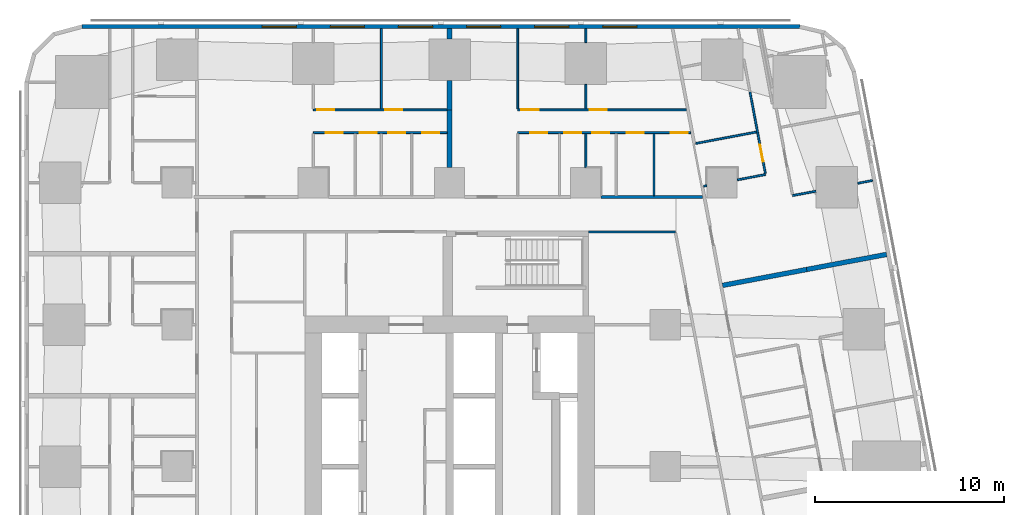
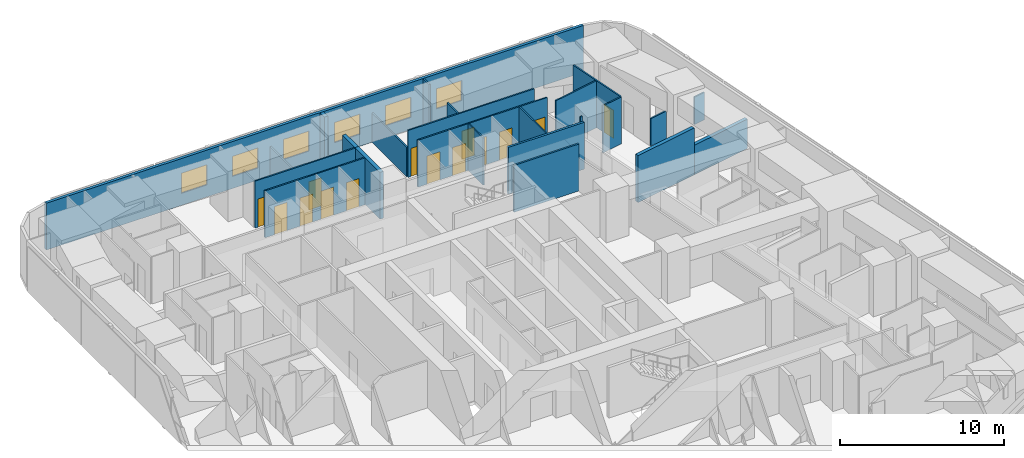
# One storey, part 9 of 15: 24 walls, 14 doors, 6 windows, 20 openings.
"""IFC4 building model written with IfcOpenShell, lengths in metres."""

from ifc_helpers import new_model, si_unit, direction, frame, frame_2d, origin, place, context, subcontext, project, spatial, rectangle, extrude, material, layer, layer_set, type_object, element, fill, save


model = new_model("IFC4")

# Units and contexts
model_context = context("Model", 3, precision=1e-05, world=origin(), true_north=direction((0.0, 1.0)))
body_context = subcontext(model_context, "Body", "Model", "MODEL_VIEW")
ifc_project = project(units=[si_unit("LENGTHUNIT", "METRE"), si_unit("AREAUNIT", "SQUARE_METRE"), si_unit("VOLUMEUNIT", "CUBIC_METRE"), si_unit("PLANEANGLEUNIT", "RADIAN"), si_unit("MASSUNIT", "GRAM", prefix="KILO")], contexts=[model_context])

# Site, building, storey
site_placement = place(None, origin())
site = spatial("IfcSite", under=ifc_project, at=site_placement, CompositionType="ELEMENT")
building_placement = place(site_placement, origin())
building = spatial("IfcBuilding", under=site, at=building_placement, Name="Sheger Commons Tower", CompositionType="ELEMENT")
storey_placement = place(building_placement, frame((0.0, 0.0, 104.14990234375)))
storey = spatial("IfcBuildingStorey", under=building, at=storey_placement, Name="L26", CompositionType="ELEMENT", Elevation=104.14990234375)

# Walls
ifc_material_1 = material(Name="Hollow concrete block masonry, skimmed both sides", Category="masonry")
ifc_layer_1 = layer(ifc_material_1, 0.14990234375)
ifc_layer_set_1 = layer_set([ifc_layer_1], Name="CORRIDOR WALL 150")
wall_type_1 = type_object("IfcWallType", Name="CORRIDOR WALL 150", PredefinedType="SOLIDWALL", material=ifc_layer_set_1)
wall_1_placement = place(storey_placement, frame((29.60107421875, 36.75, 0.0), z_axis=(0.0, 0.0, 1.0), x_axis=(1.0, 0.0, 0.0)))
element("IfcWall", 1, at=wall_1_placement, inside=storey, type_object=wall_type_1, Name="Corridor wall L26", PredefinedType="SOLIDWALL", context=body_context, shape_type="SweptSolid", body=[
    extrude(rectangle(XDim=5.371826171875, YDim=0.14990234375, at=frame_2d((2.68603515625, 0.0))), origin(), (0.0, 0.0, 1.0), 3.5),
])
ifc_material_2 = material(Name="Dense concrete block masonry, plastered both sides (separating wall between flats)", Category="masonry")
ifc_layer_2 = layer(ifc_material_2, 0.25)
ifc_layer_set_2 = layer_set([ifc_layer_2], Name="DEMISING WALL 250")
wall_type_2 = type_object("IfcWallType", Name="DEMISING WALL 250", PredefinedType="SOLIDWALL", material=ifc_layer_set_2)
wall_2_placement = place(storey_placement, frame((44.693115234375, 33.712890625, 0.0), z_axis=(0.0, 0.0, 1.0), x_axis=(-0.982633535512, -0.185556823879, 0.0)))
element("IfcWall", 2, at=wall_2_placement, inside=storey, type_object=wall_type_2, Name="Demising wall L26", PredefinedType="SOLIDWALL", context=body_context, shape_type="SweptSolid", body=[
    extrude(rectangle(XDim=4.2998046875, YDim=0.25, at=frame_2d((2.14990234375, 0.0))), origin(), (0.0, 0.0, 1.0), 2.2001953125),
])
wall_3_placement = place(storey_placement, frame((40.468017578125, 32.9150390625, 0.0), z_axis=(0.0, 0.0, 1.0), x_axis=(-0.982612837616, -0.185666398014, 0.0)))
element("IfcWall", 3, at=wall_3_placement, inside=storey, type_object=wall_type_2, Name="Demising wall L26", PredefinedType="SOLIDWALL", context=body_context, shape_type="SweptSolid", body=[
    extrude(rectangle(XDim=4.524658203125, YDim=0.25, at=frame_2d((2.26220703125, 0.0))), origin(), (0.0, 0.0, 1.0), 3.5),
])
wall_4_placement = place(storey_placement, frame((21.60009765625, 41.35009765625, 0.0), z_axis=(0.0, 0.0, 1.0), x_axis=(0.0, 1.0, 0.0)))
element("IfcWall", 4, at=wall_4_placement, inside=storey, type_object=wall_type_2, Name="Demising wall L26", PredefinedType="SOLIDWALL", context=body_context, shape_type="SweptSolid", body=[
    extrude(rectangle(XDim=1.548828125, YDim=0.25, at=frame_2d((0.7744140625, 0.0))), origin(), (0.0, 0.0, 1.0), 3.5),
])
wall_5_placement = place(storey_placement, frame((21.60009765625, 45.10107421875, 0.0), z_axis=(0.0, 0.0, 1.0), x_axis=(0.0, 1.0, 0.0)))
element("IfcWall", 5, at=wall_5_placement, inside=storey, type_object=wall_type_2, Name="Demising wall L26", PredefinedType="SOLIDWALL", context=body_context, shape_type="SweptSolid", body=[
    extrude(rectangle(XDim=0.548828125, YDim=0.25, at=frame_2d((0.2744140625, 0.0))), origin(), (0.0, 0.0, 1.0), 3.5),
])
wall_6_placement = place(storey_placement, frame((21.60009765625, 38.301025390625, 0.0), z_axis=(0.0, 0.0, 1.0), x_axis=(0.0, 1.0, 0.0)))
element("IfcWall", 6, at=wall_6_placement, inside=storey, type_object=wall_type_2, Name="Demising wall L26", PredefinedType="SOLIDWALL", context=body_context, shape_type="SweptSolid", body=[
    extrude(rectangle(XDim=3.049072265625, YDim=0.25, at=frame_2d((1.5244140625, 0.0))), origin(), (0.0, 0.0, 1.0), 3.5),
])

# Wall, openings, windows
ifc_material_3 = material(Name="Rendered concrete block masonry, dark grey", Category="masonry")
ifc_layer_3 = layer(ifc_material_3, 0.199951171875)
ifc_layer_set_3 = layer_set([ifc_layer_3], Name="FACADE WALL 200")
wall_type_3 = type_object("IfcWallType", Name="FACADE WALL 200", PredefinedType="SOLIDWALL", material=ifc_layer_set_3)
wall_7_placement = place(storey_placement, frame((40.10595703125, 45.75, 0.0), z_axis=(0.0, 0.0, 1.0), x_axis=(-1.0, 0.0, 0.0)))
wall_7 = element("IfcWall", 7, at=wall_7_placement, inside=storey, type_object=wall_type_3, Name="Facade wall L26", PredefinedType="SOLIDWALL", context=body_context, shape_type="SweptSolid", body=[
    extrude(rectangle(XDim=37.94287109375, YDim=0.199951171875, at=frame_2d((18.971435546875, 0.0))), origin(), (0.0, 0.0, 1.0), 3.5),
])
opening_1_placement = place(wall_7_placement, frame((8.60595703125, 0.0, 0.89990234375)))
opening_1 = element("IfcOpeningElement", 8, at=opening_1_placement, cuts=wall_7, Name="Opening W2", PredefinedType="OPENING", context=body_context, shape_type="SweptSolid", body=[
    extrude(rectangle(XDim=1.800048828125, YDim=1.5, at=frame_2d((0.89990234375, 0.75))), frame((0.0, 0.10986328125, 0.0), z_axis=(0.0, -1.0, 0.0), x_axis=(1.0, 0.0, 0.0)), (0.0, 0.0, 1.0), 0.219970703125),
])
opening_2_placement = place(wall_7_placement, frame((12.2060546875, 0.0, 0.89990234375)))
opening_2 = element("IfcOpeningElement", 9, at=opening_2_placement, cuts=wall_7, Name="Opening W2", PredefinedType="OPENING", context=body_context, shape_type="SweptSolid", body=[
    extrude(rectangle(XDim=1.800048828125, YDim=1.5, at=frame_2d((0.89990234375, 0.75))), frame((0.0, 0.10986328125, 0.0), z_axis=(0.0, -1.0, 0.0), x_axis=(1.0, 0.0, 0.0)), (0.0, 0.0, 1.0), 0.219970703125),
])
opening_3_placement = place(wall_7_placement, frame((15.805908203125, 0.0, 0.89990234375)))
opening_3 = element("IfcOpeningElement", 10, at=opening_3_placement, cuts=wall_7, Name="Opening W2", PredefinedType="OPENING", context=body_context, shape_type="SweptSolid", body=[
    extrude(rectangle(XDim=1.800048828125, YDim=1.5, at=frame_2d((0.89990234375, 0.75))), frame((0.0, 0.10986328125, 0.0), z_axis=(0.0, -1.0, 0.0), x_axis=(1.0, 0.0, 0.0)), (0.0, 0.0, 1.0), 0.219970703125),
])
opening_4_placement = place(wall_7_placement, frame((19.406005859375, 0.0, 0.89990234375)))
opening_4 = element("IfcOpeningElement", 11, at=opening_4_placement, cuts=wall_7, Name="Opening W2", PredefinedType="OPENING", context=body_context, shape_type="SweptSolid", body=[
    extrude(rectangle(XDim=1.800048828125, YDim=1.5, at=frame_2d((0.89990234375, 0.75))), frame((0.0, 0.10986328125, 0.0), z_axis=(0.0, -1.0, 0.0), x_axis=(1.0, 0.0, 0.0)), (0.0, 0.0, 1.0), 0.219970703125),
])
opening_5_placement = place(wall_7_placement, frame((23.006103515625, 0.0, 0.89990234375)))
opening_5 = element("IfcOpeningElement", 12, at=opening_5_placement, cuts=wall_7, Name="Opening W2", PredefinedType="OPENING", context=body_context, shape_type="SweptSolid", body=[
    extrude(rectangle(XDim=1.800048828125, YDim=1.5, at=frame_2d((0.89990234375, 0.75))), frame((0.0, 0.10986328125, 0.0), z_axis=(0.0, -1.0, 0.0), x_axis=(1.0, 0.0, 0.0)), (0.0, 0.0, 1.0), 0.219970703125),
])
opening_6_placement = place(wall_7_placement, frame((26.60595703125, 0.0, 0.89990234375)))
opening_6 = element("IfcOpeningElement", 13, at=opening_6_placement, cuts=wall_7, Name="Opening W2", PredefinedType="OPENING", context=body_context, shape_type="SweptSolid", body=[
    extrude(rectangle(XDim=1.800048828125, YDim=1.5, at=frame_2d((0.89990234375, 0.75))), frame((0.0, 0.10986328125, 0.0), z_axis=(0.0, -1.0, 0.0), x_axis=(1.0, 0.0, 0.0)), (0.0, 0.0, 1.0), 0.219970703125),
])
ifc_material_4 = material(Name="Black aluminium frame, dark tinted double glazing", Category="aluminium")
window_type = type_object("IfcWindowType", Name="WINDOW W2 1800x1500", PartitioningType="SINGLE_PANEL", PredefinedType="WINDOW", material=ifc_material_4)
window_1_placement = place(opening_1_placement, origin())
window_1 = element("IfcWindow", 14, at=window_1_placement, inside=storey, type_object=window_type, Name="Window W2 1800X1500", OverallHeight=1.5, OverallWidth=1.800048828125, PartitioningType="SINGLE_PANEL", PredefinedType="WINDOW", context=body_context, shape_type="SweptSolid", body=[
    extrude(rectangle(XDim=1.800048828125, YDim=1.5, at=frame_2d((0.89990234375, 0.75))), frame((0.0, 0.030029296875, 0.0), z_axis=(0.0, -1.0, 0.0), x_axis=(1.0, 0.0, 0.0)), (0.0, 0.0, 1.0), 0.06005859375),
])
fill(opening_1, window_1)
window_2_placement = place(opening_2_placement, origin())
window_2 = element("IfcWindow", 15, at=window_2_placement, inside=storey, type_object=window_type, Name="Window W2 1800X1500", OverallHeight=1.5, OverallWidth=1.800048828125, PartitioningType="SINGLE_PANEL", PredefinedType="WINDOW", context=body_context, shape_type="SweptSolid", body=[
    extrude(rectangle(XDim=1.800048828125, YDim=1.5, at=frame_2d((0.89990234375, 0.75))), frame((0.0, 0.030029296875, 0.0), z_axis=(0.0, -1.0, 0.0), x_axis=(1.0, 0.0, 0.0)), (0.0, 0.0, 1.0), 0.06005859375),
])
fill(opening_2, window_2)
window_3_placement = place(opening_3_placement, origin())
window_3 = element("IfcWindow", 16, at=window_3_placement, inside=storey, type_object=window_type, Name="Window W2 1800X1500", OverallHeight=1.5, OverallWidth=1.800048828125, PartitioningType="SINGLE_PANEL", PredefinedType="WINDOW", context=body_context, shape_type="SweptSolid", body=[
    extrude(rectangle(XDim=1.800048828125, YDim=1.5, at=frame_2d((0.89990234375, 0.75))), frame((0.0, 0.030029296875, 0.0), z_axis=(0.0, -1.0, 0.0), x_axis=(1.0, 0.0, 0.0)), (0.0, 0.0, 1.0), 0.06005859375),
])
fill(opening_3, window_3)
window_4_placement = place(opening_4_placement, origin())
window_4 = element("IfcWindow", 17, at=window_4_placement, inside=storey, type_object=window_type, Name="Window W2 1800X1500", OverallHeight=1.5, OverallWidth=1.800048828125, PartitioningType="SINGLE_PANEL", PredefinedType="WINDOW", context=body_context, shape_type="SweptSolid", body=[
    extrude(rectangle(XDim=1.800048828125, YDim=1.5, at=frame_2d((0.89990234375, 0.75))), frame((0.0, 0.030029296875, 0.0), z_axis=(0.0, -1.0, 0.0), x_axis=(1.0, 0.0, 0.0)), (0.0, 0.0, 1.0), 0.06005859375),
])
fill(opening_4, window_4)
window_5_placement = place(opening_5_placement, origin())
window_5 = element("IfcWindow", 18, at=window_5_placement, inside=storey, type_object=window_type, Name="Window W2 1800X1500", OverallHeight=1.5, OverallWidth=1.800048828125, PartitioningType="SINGLE_PANEL", PredefinedType="WINDOW", context=body_context, shape_type="SweptSolid", body=[
    extrude(rectangle(XDim=1.800048828125, YDim=1.5, at=frame_2d((0.89990234375, 0.75))), frame((0.0, 0.030029296875, 0.0), z_axis=(0.0, -1.0, 0.0), x_axis=(1.0, 0.0, 0.0)), (0.0, 0.0, 1.0), 0.06005859375),
])
fill(opening_5, window_5)
window_6_placement = place(opening_6_placement, origin())
window_6 = element("IfcWindow", 19, at=window_6_placement, inside=storey, type_object=window_type, Name="Window W2 1800X1500", OverallHeight=1.5, OverallWidth=1.800048828125, PartitioningType="SINGLE_PANEL", PredefinedType="WINDOW", context=body_context, shape_type="SweptSolid", body=[
    extrude(rectangle(XDim=1.800048828125, YDim=1.5, at=frame_2d((0.89990234375, 0.75))), frame((0.0, 0.030029296875, 0.0), z_axis=(0.0, -1.0, 0.0), x_axis=(1.0, 0.0, 0.0)), (0.0, 0.0, 1.0), 0.06005859375),
])
fill(opening_6, window_6)

# Wall, opening, door
ifc_material_5 = material(Name="Gypsum board on steel studs", Category="steel")
ifc_layer_4 = layer(ifc_material_5, 0.10009765625)
ifc_layer_set_4 = layer_set([ifc_layer_4], Name="PARTITION 100")
wall_type_4 = type_object("IfcWallType", Name="PARTITION 100", PredefinedType="PARTITIONING", material=ifc_layer_set_4)
wall_8_placement = place(storey_placement, frame((37.471923828125, 42.30908203125, 0.0), z_axis=(0.0, 0.0, 1.0), x_axis=(0.185641287362, -0.982617581985, 0.0)))
wall_8 = element("IfcWall", 20, at=wall_8_placement, inside=storey, type_object=wall_type_4, Name="Partition L26", PredefinedType="PARTITIONING", context=body_context, shape_type="SweptSolid", body=[
    extrude(rectangle(XDim=4.401611328125, YDim=0.10009765625, at=frame_2d((2.20068359375, 0.0))), origin(), (0.0, 0.0, 1.0), 3.5),
])
opening_7_placement = place(wall_8_placement, frame((2.85400390625, 0.0, 0.0)))
opening_7 = element("IfcOpeningElement", 21, at=opening_7_placement, cuts=wall_8, Name="Opening D2", PredefinedType="OPENING", context=body_context, shape_type="SweptSolid", body=[
    extrude(rectangle(XDim=0.89990234375, YDim=2.10009765625, at=frame_2d((0.449951171875, 1.050048828125))), frame((0.0, 0.06005859375, 0.0), z_axis=(0.0, -1.0, 0.0), x_axis=(1.0, 0.0, 0.0)), (0.0, 0.0, 1.0), 0.1201171875),
])
ifc_material_6 = material(Name="Timber door set", Category="wood")
door_type = type_object("IfcDoorType", Name="INTERNAL DOOR 900x2100", OperationType="NOTDEFINED", PredefinedType="DOOR", material=ifc_material_6)
door_1_placement = place(opening_7_placement, origin())
door_1 = element("IfcDoor", 22, at=door_1_placement, inside=storey, type_object=door_type, Name="Bathroom door", OperationType="SINGLE_SWING_LEFT", OverallHeight=2.10009765625, OverallWidth=0.89990234375, PredefinedType="DOOR", context=body_context, shape_type="SweptSolid", body=[
    extrude(rectangle(XDim=0.89990234375, YDim=2.10009765625, at=frame_2d((0.449951171875, 1.050048828125))), frame((0.0, 0.02490234375, 0.0), z_axis=(0.0, -1.0, 0.0), x_axis=(1.0, 0.0, 0.0)), (0.0, 0.0, 1.0), 0.050048828125),
])
fill(opening_7, door_1)

# Walls
wall_9_placement = place(storey_placement, frame((43.955078125, 37.6201171875, 0.0), z_axis=(0.0, 0.0, 1.0), x_axis=(-0.98247004097, -0.186420542316, 0.0)))
element("IfcWall", 23, at=wall_9_placement, inside=storey, type_object=wall_type_4, Name="Partition L26", PredefinedType="PARTITIONING", context=body_context, shape_type="SweptSolid", body=[
    extrude(rectangle(XDim=0.794921875, YDim=0.10009765625, at=frame_2d((0.3974609375, 0.0))), origin(), (0.0, 0.0, 1.0), 2.050048828125),
])
wall_10_placement = place(storey_placement, frame((40.9541015625, 37.052978515625, 0.0), z_axis=(0.0, 0.0, 1.0), x_axis=(-0.982663001154, -0.185400717808, 0.0)))
element("IfcWall", 24, at=wall_10_placement, inside=storey, type_object=wall_type_4, Name="Partition L26", PredefinedType="PARTITIONING", context=body_context, shape_type="SweptSolid", body=[
    extrude(rectangle(XDim=1.24560546875, YDim=0.10009765625, at=frame_2d((0.622802734375, 0.0))), origin(), (0.0, 0.0, 1.0), 2.050048828125),
])
wall_11_placement = place(storey_placement, frame((37.822998046875, 40.181884765625, 0.0), z_axis=(0.0, 0.0, 1.0), x_axis=(-0.982664729897, -0.18539155487, 0.0)))
element("IfcWall", 25, at=wall_11_placement, inside=storey, type_object=wall_type_4, Name="Partition L26", PredefinedType="PARTITIONING", context=body_context, shape_type="SweptSolid", body=[
    extrude(rectangle(XDim=3.273681640625, YDim=0.10009765625, at=frame_2d((1.63671875, 0.0))), origin(), (0.0, 0.0, 1.0), 3.5),
])
wall_12_placement = place(storey_placement, frame((38.299072265625, 37.93505859375, 0.0), z_axis=(0.0, 0.0, 1.0), x_axis=(-0.982536828695, -0.186068213993, 0.0)))
element("IfcWall", 26, at=wall_12_placement, inside=storey, type_object=wall_type_4, Name="Partition L26", PredefinedType="PARTITIONING", context=body_context, shape_type="SweptSolid", body=[
    extrude(rectangle(XDim=1.515380859375, YDim=0.10009765625, at=frame_2d((0.7578125, 0.0))), origin(), (0.0, 0.0, 1.0), 3.5),
])
wall_13_placement = place(storey_placement, frame((35.18994140625, 37.346923828125, 0.0), z_axis=(0.0, 0.0, 1.0), x_axis=(-0.982404955251, -0.186763229514, 0.0)))
element("IfcWall", 27, at=wall_13_placement, inside=storey, type_object=wall_type_4, Name="Partition L26", PredefinedType="PARTITIONING", context=body_context, shape_type="SweptSolid", body=[
    extrude(rectangle(XDim=0.160888671875, YDim=0.10009765625, at=frame_2d((0.08056640625, 0.0))), origin(), (0.0, 0.0, 1.0), 3.5),
])

# Wall, openings, doors
wall_14_placement = place(storey_placement, frame((14.39990234375, 41.35009765625, 0.0), z_axis=(0.0, 0.0, 1.0), x_axis=(1.0, 0.0, 0.0)))
wall_14 = element("IfcWall", 28, at=wall_14_placement, inside=storey, type_object=wall_type_4, Name="Partition L26", PredefinedType="PARTITIONING", context=body_context, shape_type="SweptSolid", body=[
    extrude(rectangle(XDim=7.0751953125, YDim=0.10009765625, at=frame_2d((3.53759765625, 0.0))), origin(), (0.0, 0.0, 1.0), 3.5),
])
opening_8_placement = place(wall_14_placement, frame((0.199951171875, 0.0, 0.0)))
opening_8 = element("IfcOpeningElement", 29, at=opening_8_placement, cuts=wall_14, Name="Opening D2", PredefinedType="OPENING", context=body_context, shape_type="SweptSolid", body=[
    extrude(rectangle(XDim=0.89990234375, YDim=2.10009765625, at=frame_2d((0.449951171875, 1.050048828125))), frame((0.0, 0.06005859375, 0.0), z_axis=(0.0, -1.0, 0.0), x_axis=(1.0, 0.0, 0.0)), (0.0, 0.0, 1.0), 0.1201171875),
])
opening_9_placement = place(wall_14_placement, frame((3.800048828125, 0.0, 0.0)))
opening_9 = element("IfcOpeningElement", 30, at=opening_9_placement, cuts=wall_14, Name="Opening D2", PredefinedType="OPENING", context=body_context, shape_type="SweptSolid", body=[
    extrude(rectangle(XDim=0.89990234375, YDim=2.10009765625, at=frame_2d((0.449951171875, 1.050048828125))), frame((0.0, 0.06005859375, 0.0), z_axis=(0.0, -1.0, 0.0), x_axis=(1.0, 0.0, 0.0)), (0.0, 0.0, 1.0), 0.1201171875),
])
door_2_placement = place(opening_8_placement, origin())
door_2 = element("IfcDoor", 31, at=door_2_placement, inside=storey, type_object=door_type, Name="Main bedroom door", OperationType="SINGLE_SWING_LEFT", OverallHeight=2.10009765625, OverallWidth=0.89990234375, PredefinedType="DOOR", context=body_context, shape_type="SweptSolid", body=[
    extrude(rectangle(XDim=0.89990234375, YDim=2.10009765625, at=frame_2d((0.449951171875, 1.050048828125))), frame((0.0, 0.02490234375, 0.0), z_axis=(0.0, -1.0, 0.0), x_axis=(1.0, 0.0, 0.0)), (0.0, 0.0, 1.0), 0.050048828125),
])
fill(opening_8, door_2)
door_3_placement = place(opening_9_placement, origin())
door_3 = element("IfcDoor", 32, at=door_3_placement, inside=storey, type_object=door_type, Name="Bedroom 2 door", OperationType="SINGLE_SWING_LEFT", OverallHeight=2.10009765625, OverallWidth=0.89990234375, PredefinedType="DOOR", context=body_context, shape_type="SweptSolid", body=[
    extrude(rectangle(XDim=0.89990234375, YDim=2.10009765625, at=frame_2d((0.449951171875, 1.050048828125))), frame((0.0, 0.02490234375, 0.0), z_axis=(0.0, -1.0, 0.0), x_axis=(1.0, 0.0, 0.0)), (0.0, 0.0, 1.0), 0.050048828125),
])
fill(opening_9, door_3)

wall_15_placement = place(storey_placement, frame((14.39990234375, 40.14990234375, 0.0), z_axis=(0.0, 0.0, 1.0), x_axis=(1.0, 0.0, 0.0)))
wall_15 = element("IfcWall", 33, at=wall_15_placement, inside=storey, type_object=wall_type_4, Name="Partition L26", PredefinedType="PARTITIONING", context=body_context, shape_type="SweptSolid", body=[
    extrude(rectangle(XDim=7.0751953125, YDim=0.10009765625, at=frame_2d((3.53759765625, 0.0))), origin(), (0.0, 0.0, 1.0), 3.5),
])
opening_10_placement = place(wall_15_placement, frame((0.655029296875, 0.0, 0.0)))
opening_10 = element("IfcOpeningElement", 34, at=opening_10_placement, cuts=wall_15, Name="Opening D2", PredefinedType="OPENING", context=body_context, shape_type="SweptSolid", body=[
    extrude(rectangle(XDim=0.89990234375, YDim=2.10009765625, at=frame_2d((0.449951171875, 1.050048828125))), frame((0.0, 0.06005859375, 0.0), z_axis=(0.0, -1.0, 0.0), x_axis=(1.0, 0.0, 0.0)), (0.0, 0.0, 1.0), 0.1201171875),
])
opening_11_placement = place(wall_15_placement, frame((3.949951171875, 0.0, 0.0)))
opening_11 = element("IfcOpeningElement", 35, at=opening_11_placement, cuts=wall_15, Name="Opening D2", PredefinedType="OPENING", context=body_context, shape_type="SweptSolid", body=[
    extrude(rectangle(XDim=0.89990234375, YDim=2.10009765625, at=frame_2d((0.449951171875, 1.050048828125))), frame((0.0, 0.06005859375, 0.0), z_axis=(0.0, -1.0, 0.0), x_axis=(1.0, 0.0, 0.0)), (0.0, 0.0, 1.0), 0.1201171875),
])
opening_12_placement = place(wall_15_placement, frame((2.455078125, 0.0, 0.0)))
opening_12 = element("IfcOpeningElement", 36, at=opening_12_placement, cuts=wall_15, Name="Opening D2", PredefinedType="OPENING", context=body_context, shape_type="SweptSolid", body=[
    extrude(rectangle(XDim=0.89990234375, YDim=2.10009765625, at=frame_2d((0.449951171875, 1.050048828125))), frame((0.0, 0.06005859375, 0.0), z_axis=(0.0, -1.0, 0.0), x_axis=(1.0, 0.0, 0.0)), (0.0, 0.0, 1.0), 0.1201171875),
])
opening_13_placement = place(wall_15_placement, frame((5.75, 0.0, 0.0)))
opening_13 = element("IfcOpeningElement", 37, at=opening_13_placement, cuts=wall_15, Name="Opening D2", PredefinedType="OPENING", context=body_context, shape_type="SweptSolid", body=[
    extrude(rectangle(XDim=0.89990234375, YDim=2.10009765625, at=frame_2d((0.449951171875, 1.050048828125))), frame((0.0, 0.06005859375, 0.0), z_axis=(0.0, -1.0, 0.0), x_axis=(1.0, 0.0, 0.0)), (0.0, 0.0, 1.0), 0.1201171875),
])
door_4_placement = place(opening_10_placement, origin())
door_4 = element("IfcDoor", 38, at=door_4_placement, inside=storey, type_object=door_type, Name="Bathroom door", OperationType="SINGLE_SWING_RIGHT", OverallHeight=2.10009765625, OverallWidth=0.89990234375, PredefinedType="DOOR", context=body_context, shape_type="SweptSolid", body=[
    extrude(rectangle(XDim=0.89990234375, YDim=2.10009765625, at=frame_2d((0.449951171875, 1.050048828125))), frame((0.0, 0.02490234375, 0.0), z_axis=(0.0, -1.0, 0.0), x_axis=(1.0, 0.0, 0.0)), (0.0, 0.0, 1.0), 0.050048828125),
])
fill(opening_10, door_4)
door_5_placement = place(opening_11_placement, origin())
door_5 = element("IfcDoor", 39, at=door_5_placement, inside=storey, type_object=door_type, Name="Shower room door", OperationType="SINGLE_SWING_RIGHT", OverallHeight=2.10009765625, OverallWidth=0.89990234375, PredefinedType="DOOR", context=body_context, shape_type="SweptSolid", body=[
    extrude(rectangle(XDim=0.89990234375, YDim=2.10009765625, at=frame_2d((0.449951171875, 1.050048828125))), frame((0.0, 0.02490234375, 0.0), z_axis=(0.0, -1.0, 0.0), x_axis=(1.0, 0.0, 0.0)), (0.0, 0.0, 1.0), 0.050048828125),
])
fill(opening_11, door_5)
door_6_placement = place(opening_12_placement, origin())
door_6 = element("IfcDoor", 40, at=door_6_placement, inside=storey, type_object=door_type, Name="Store door", OperationType="SINGLE_SWING_RIGHT", OverallHeight=2.10009765625, OverallWidth=0.89990234375, PredefinedType="DOOR", context=body_context, shape_type="SweptSolid", body=[
    extrude(rectangle(XDim=0.89990234375, YDim=2.10009765625, at=frame_2d((0.449951171875, 1.050048828125))), frame((0.0, 0.02490234375, 0.0), z_axis=(0.0, -1.0, 0.0), x_axis=(1.0, 0.0, 0.0)), (0.0, 0.0, 1.0), 0.050048828125),
])
fill(opening_12, door_6)
door_7_placement = place(opening_13_placement, origin())
door_7 = element("IfcDoor", 41, at=door_7_placement, inside=storey, type_object=door_type, Name="Store door", OperationType="SINGLE_SWING_LEFT", OverallHeight=2.10009765625, OverallWidth=0.89990234375, PredefinedType="DOOR", context=body_context, shape_type="SweptSolid", body=[
    extrude(rectangle(XDim=0.89990234375, YDim=2.10009765625, at=frame_2d((0.449951171875, 1.050048828125))), frame((0.0, 0.02490234375, 0.0), z_axis=(0.0, -1.0, 0.0), x_axis=(1.0, 0.0, 0.0)), (0.0, 0.0, 1.0), 0.050048828125),
])
fill(opening_13, door_7)

# Wall
wall_16_placement = place(storey_placement, frame((18.0, 41.39990234375, 0.0), z_axis=(0.0, 0.0, 1.0), x_axis=(0.0, 1.0, 0.0)))
element("IfcWall", 42, at=wall_16_placement, inside=storey, type_object=wall_type_4, Name="Partition L26", PredefinedType="PARTITIONING", context=body_context, shape_type="SweptSolid", body=[
    extrude(rectangle(XDim=4.25, YDim=0.10009765625, at=frame_2d((2.125, 0.0))), origin(), (0.0, 0.0, 1.0), 2.2001953125),
])

# Wall, openings, doors
wall_17_placement = place(storey_placement, frame((25.199951171875, 41.35009765625, 0.0), z_axis=(0.0, 0.0, 1.0), x_axis=(1.0, 0.0, 0.0)))
wall_17 = element("IfcWall", 43, at=wall_17_placement, inside=storey, type_object=wall_type_4, Name="Partition L26", PredefinedType="PARTITIONING", context=body_context, shape_type="SweptSolid", body=[
    extrude(rectangle(XDim=8.907958984375, YDim=0.10009765625, at=frame_2d((4.4541015625, 0.0))), origin(), (0.0, 0.0, 1.0), 3.5),
])
opening_14_placement = place(wall_17_placement, frame((0.199951171875, 0.0, 0.0)))
opening_14 = element("IfcOpeningElement", 44, at=opening_14_placement, cuts=wall_17, Name="Opening D2", PredefinedType="OPENING", context=body_context, shape_type="SweptSolid", body=[
    extrude(rectangle(XDim=0.89990234375, YDim=2.10009765625, at=frame_2d((0.449951171875, 1.050048828125))), frame((0.0, 0.06005859375, 0.0), z_axis=(0.0, -1.0, 0.0), x_axis=(1.0, 0.0, 0.0)), (0.0, 0.0, 1.0), 0.1201171875),
])
opening_15_placement = place(wall_17_placement, frame((3.800048828125, 0.0, 0.0)))
opening_15 = element("IfcOpeningElement", 45, at=opening_15_placement, cuts=wall_17, Name="Opening D2", PredefinedType="OPENING", context=body_context, shape_type="SweptSolid", body=[
    extrude(rectangle(XDim=0.89990234375, YDim=2.10009765625, at=frame_2d((0.449951171875, 1.050048828125))), frame((0.0, 0.06005859375, 0.0), z_axis=(0.0, -1.0, 0.0), x_axis=(1.0, 0.0, 0.0)), (0.0, 0.0, 1.0), 0.1201171875),
])
door_8_placement = place(opening_14_placement, origin())
door_8 = element("IfcDoor", 46, at=door_8_placement, inside=storey, type_object=door_type, Name="Main bedroom door", OperationType="SINGLE_SWING_LEFT", OverallHeight=2.10009765625, OverallWidth=0.89990234375, PredefinedType="DOOR", context=body_context, shape_type="SweptSolid", body=[
    extrude(rectangle(XDim=0.89990234375, YDim=2.10009765625, at=frame_2d((0.449951171875, 1.050048828125))), frame((0.0, 0.02490234375, 0.0), z_axis=(0.0, -1.0, 0.0), x_axis=(1.0, 0.0, 0.0)), (0.0, 0.0, 1.0), 0.050048828125),
])
fill(opening_14, door_8)
door_9_placement = place(opening_15_placement, origin())
door_9 = element("IfcDoor", 47, at=door_9_placement, inside=storey, type_object=door_type, Name="Bedroom 2 door", OperationType="SINGLE_SWING_RIGHT", OverallHeight=2.10009765625, OverallWidth=0.89990234375, PredefinedType="DOOR", context=body_context, shape_type="SweptSolid", body=[
    extrude(rectangle(XDim=0.89990234375, YDim=2.10009765625, at=frame_2d((0.449951171875, 1.050048828125))), frame((0.0, 0.02490234375, 0.0), z_axis=(0.0, -1.0, 0.0), x_axis=(1.0, 0.0, 0.0)), (0.0, 0.0, 1.0), 0.050048828125),
])
fill(opening_15, door_9)

wall_18_placement = place(storey_placement, frame((25.199951171875, 40.14990234375, 0.0), z_axis=(0.0, 0.0, 1.0), x_axis=(1.0, 0.0, 0.0)))
wall_18 = element("IfcWall", 48, at=wall_18_placement, inside=storey, type_object=wall_type_4, Name="Partition L26", PredefinedType="PARTITIONING", context=body_context, shape_type="SweptSolid", body=[
    extrude(rectangle(XDim=9.135009765625, YDim=0.10009765625, at=frame_2d((4.5673828125, 0.0))), origin(), (0.0, 0.0, 1.0), 3.5),
])
opening_16_placement = place(wall_18_placement, frame((0.655029296875, 0.0, 0.0)))
opening_16 = element("IfcOpeningElement", 49, at=opening_16_placement, cuts=wall_18, Name="Opening D2", PredefinedType="OPENING", context=body_context, shape_type="SweptSolid", body=[
    extrude(rectangle(XDim=0.89990234375, YDim=2.10009765625, at=frame_2d((0.449951171875, 1.050048828125))), frame((0.0, 0.06005859375, 0.0), z_axis=(0.0, -1.0, 0.0), x_axis=(1.0, 0.0, 0.0)), (0.0, 0.0, 1.0), 0.1201171875),
])
opening_17_placement = place(wall_18_placement, frame((3.949951171875, 0.0, 0.0)))
opening_17 = element("IfcOpeningElement", 50, at=opening_17_placement, cuts=wall_18, Name="Opening D2", PredefinedType="OPENING", context=body_context, shape_type="SweptSolid", body=[
    extrude(rectangle(XDim=0.89990234375, YDim=2.10009765625, at=frame_2d((0.449951171875, 1.050048828125))), frame((0.0, 0.06005859375, 0.0), z_axis=(0.0, -1.0, 0.0), x_axis=(1.0, 0.0, 0.0)), (0.0, 0.0, 1.0), 0.1201171875),
])
opening_18_placement = place(wall_18_placement, frame((8.0810546875, 0.0, 0.0)))
opening_18 = element("IfcOpeningElement", 51, at=opening_18_placement, cuts=wall_18, Name="Opening D2", PredefinedType="OPENING", context=body_context, shape_type="SweptSolid", body=[
    extrude(rectangle(XDim=0.89990234375, YDim=2.10009765625, at=frame_2d((0.449951171875, 1.050048828125))), frame((0.0, 0.06005859375, 0.0), z_axis=(0.0, -1.0, 0.0), x_axis=(1.0, 0.0, 0.0)), (0.0, 0.0, 1.0), 0.1201171875),
])
opening_19_placement = place(wall_18_placement, frame((2.455078125, 0.0, 0.0)))
opening_19 = element("IfcOpeningElement", 52, at=opening_19_placement, cuts=wall_18, Name="Opening D2", PredefinedType="OPENING", context=body_context, shape_type="SweptSolid", body=[
    extrude(rectangle(XDim=0.89990234375, YDim=2.10009765625, at=frame_2d((0.449951171875, 1.050048828125))), frame((0.0, 0.06005859375, 0.0), z_axis=(0.0, -1.0, 0.0), x_axis=(1.0, 0.0, 0.0)), (0.0, 0.0, 1.0), 0.1201171875),
])
opening_20_placement = place(wall_18_placement, frame((5.75, 0.0, 0.0)))
opening_20 = element("IfcOpeningElement", 53, at=opening_20_placement, cuts=wall_18, Name="Opening D2", PredefinedType="OPENING", context=body_context, shape_type="SweptSolid", body=[
    extrude(rectangle(XDim=0.89990234375, YDim=2.10009765625, at=frame_2d((0.449951171875, 1.050048828125))), frame((0.0, 0.06005859375, 0.0), z_axis=(0.0, -1.0, 0.0), x_axis=(1.0, 0.0, 0.0)), (0.0, 0.0, 1.0), 0.1201171875),
])
door_10_placement = place(opening_16_placement, origin())
door_10 = element("IfcDoor", 54, at=door_10_placement, inside=storey, type_object=door_type, Name="Bathroom door", OperationType="SINGLE_SWING_RIGHT", OverallHeight=2.10009765625, OverallWidth=0.89990234375, PredefinedType="DOOR", context=body_context, shape_type="SweptSolid", body=[
    extrude(rectangle(XDim=0.89990234375, YDim=2.10009765625, at=frame_2d((0.449951171875, 1.050048828125))), frame((0.0, 0.02490234375, 0.0), z_axis=(0.0, -1.0, 0.0), x_axis=(1.0, 0.0, 0.0)), (0.0, 0.0, 1.0), 0.050048828125),
])
fill(opening_16, door_10)
door_11_placement = place(opening_17_placement, origin())
door_11 = element("IfcDoor", 55, at=door_11_placement, inside=storey, type_object=door_type, Name="Shower room door", OperationType="SINGLE_SWING_LEFT", OverallHeight=2.10009765625, OverallWidth=0.89990234375, PredefinedType="DOOR", context=body_context, shape_type="SweptSolid", body=[
    extrude(rectangle(XDim=0.89990234375, YDim=2.10009765625, at=frame_2d((0.449951171875, 1.050048828125))), frame((0.0, 0.02490234375, 0.0), z_axis=(0.0, -1.0, 0.0), x_axis=(1.0, 0.0, 0.0)), (0.0, 0.0, 1.0), 0.050048828125),
])
fill(opening_17, door_11)
door_12_placement = place(opening_18_placement, origin())
door_12 = element("IfcDoor", 56, at=door_12_placement, inside=storey, type_object=door_type, Name="Laundry room door", OperationType="SINGLE_SWING_LEFT", OverallHeight=2.10009765625, OverallWidth=0.89990234375, PredefinedType="DOOR", context=body_context, shape_type="SweptSolid", body=[
    extrude(rectangle(XDim=0.89990234375, YDim=2.10009765625, at=frame_2d((0.449951171875, 1.050048828125))), frame((0.0, 0.02490234375, 0.0), z_axis=(0.0, -1.0, 0.0), x_axis=(1.0, 0.0, 0.0)), (0.0, 0.0, 1.0), 0.050048828125),
])
fill(opening_18, door_12)
door_13_placement = place(opening_19_placement, origin())
door_13 = element("IfcDoor", 57, at=door_13_placement, inside=storey, type_object=door_type, Name="Store door", OperationType="SINGLE_SWING_RIGHT", OverallHeight=2.10009765625, OverallWidth=0.89990234375, PredefinedType="DOOR", context=body_context, shape_type="SweptSolid", body=[
    extrude(rectangle(XDim=0.89990234375, YDim=2.10009765625, at=frame_2d((0.449951171875, 1.050048828125))), frame((0.0, 0.02490234375, 0.0), z_axis=(0.0, -1.0, 0.0), x_axis=(1.0, 0.0, 0.0)), (0.0, 0.0, 1.0), 0.050048828125),
])
fill(opening_19, door_13)
door_14_placement = place(opening_20_placement, origin())
door_14 = element("IfcDoor", 58, at=door_14_placement, inside=storey, type_object=door_type, Name="Store door", OperationType="SINGLE_SWING_RIGHT", OverallHeight=2.10009765625, OverallWidth=0.89990234375, PredefinedType="DOOR", context=body_context, shape_type="SweptSolid", body=[
    extrude(rectangle(XDim=0.89990234375, YDim=2.10009765625, at=frame_2d((0.449951171875, 1.050048828125))), frame((0.0, 0.02490234375, 0.0), z_axis=(0.0, -1.0, 0.0), x_axis=(1.0, 0.0, 0.0)), (0.0, 0.0, 1.0), 0.050048828125),
])
fill(opening_20, door_14)

# Walls
wall_19_placement = place(storey_placement, frame((25.199951171875, 41.39990234375, 0.0), z_axis=(0.0, 0.0, 1.0), x_axis=(0.0, 1.0, 0.0)))
element("IfcWall", 59, at=wall_19_placement, inside=storey, type_object=wall_type_4, Name="Partition L26", PredefinedType="PARTITIONING", context=body_context, shape_type="SweptSolid", body=[
    extrude(rectangle(XDim=4.25, YDim=0.10009765625, at=frame_2d((2.125, 0.0))), origin(), (0.0, 0.0, 1.0), 2.2001953125),
])
wall_20_placement = place(storey_placement, frame((28.800048828125, 41.39990234375, 0.0), z_axis=(0.0, 0.0, 1.0), x_axis=(0.0, 1.0, 0.0)))
element("IfcWall", 60, at=wall_20_placement, inside=storey, type_object=wall_type_4, Name="Partition L26", PredefinedType="PARTITIONING", context=body_context, shape_type="SweptSolid", body=[
    extrude(rectangle(XDim=1.299072265625, YDim=0.10009765625, at=frame_2d((0.6494140625, 0.0))), origin(), (0.0, 0.0, 1.0), 3.5),
])
wall_21_placement = place(storey_placement, frame((28.800048828125, 44.90087890625, 0.0), z_axis=(0.0, 0.0, 1.0), x_axis=(0.0, 1.0, 0.0)))
element("IfcWall", 61, at=wall_21_placement, inside=storey, type_object=wall_type_4, Name="Partition L26", PredefinedType="PARTITIONING", context=body_context, shape_type="SweptSolid", body=[
    extrude(rectangle(XDim=0.7490234375, YDim=0.10009765625, at=frame_2d((0.37451171875, 0.0))), origin(), (0.0, 0.0, 1.0), 3.5),
])
wall_22_placement = place(storey_placement, frame((28.800048828125, 38.301025390625, 0.0), z_axis=(0.0, 0.0, 1.0), x_axis=(0.0, 1.0, 0.0)))
element("IfcWall", 62, at=wall_22_placement, inside=storey, type_object=wall_type_4, Name="Partition L26", PredefinedType="PARTITIONING", context=body_context, shape_type="SweptSolid", body=[
    extrude(rectangle(XDim=1.799072265625, YDim=0.10009765625, at=frame_2d((0.8994140625, 0.0))), origin(), (0.0, 0.0, 1.0), 3.5),
])
wall_23_placement = place(storey_placement, frame((32.39990234375, 36.824951171875, 0.0), z_axis=(0.0, 0.0, 1.0), x_axis=(0.0, 1.0, 0.0)))
element("IfcWall", 63, at=wall_23_placement, inside=storey, type_object=wall_type_4, Name="Partition L26", PredefinedType="PARTITIONING", context=body_context, shape_type="SweptSolid", body=[
    extrude(rectangle(XDim=3.275146484375, YDim=0.10009765625, at=frame_2d((1.6376953125, 0.0))), origin(), (0.0, 0.0, 1.0), 3.5),
])
ifc_material_7 = material(Name="Gypsum board on steel studs, two layers each side, fire rated", Category="steel")
ifc_layer_5 = layer(ifc_material_7, 0.125)
ifc_layer_set_5 = layer_set([ifc_layer_5], Name="SERVICE WALL 125")
wall_type_5 = type_object("IfcWallType", Name="SERVICE WALL 125", PredefinedType="PARTITIONING", material=ifc_layer_set_5)
wall_24_placement = place(storey_placement, frame((28.949951171875, 34.89990234375, 0.0), z_axis=(0.0, 0.0, 1.0), x_axis=(1.0, 0.0, 0.0)))
element("IfcWall", 64, at=wall_24_placement, inside=storey, type_object=wall_type_5, Name="Service room wall L26", PredefinedType="PARTITIONING", context=body_context, shape_type="SweptSolid", body=[
    extrude(rectangle(XDim=4.588134765625, YDim=0.125, at=frame_2d((2.2939453125, 0.0))), origin(), (0.0, 0.0, 1.0), 3.5),
])

save(model, "model.ifc")
